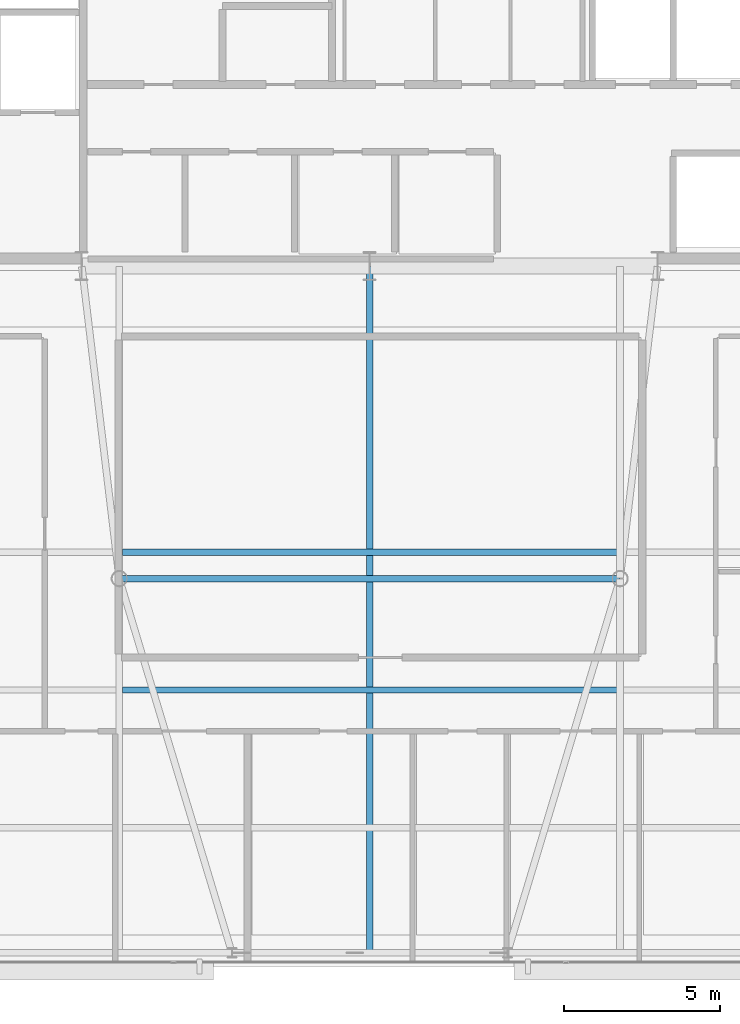
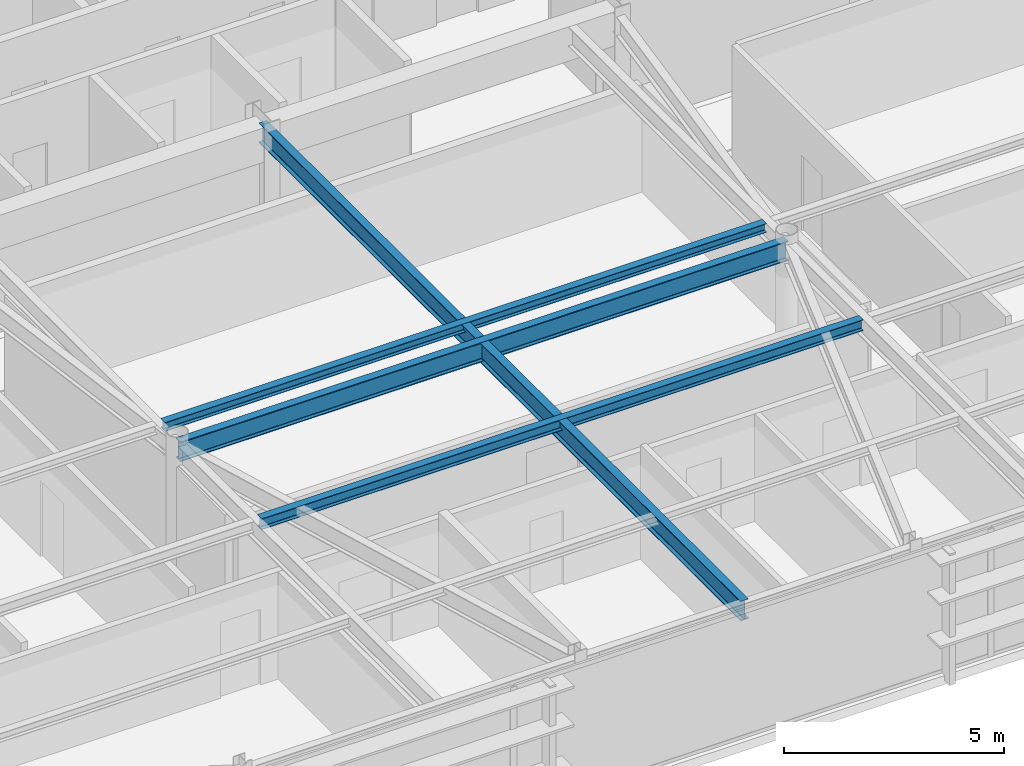
# One storey, part 9 of 24: 4 beams.
"""IFC4 building model written with IfcOpenShell, lengths in metres."""

from ifc_helpers import new_model, si_unit, direction, frame, origin, origin_2d, place, context, subcontext, project, spatial, i_section, extrude, source, transform, mapped, material, material_profile, profile_set, type_object, type_shapes, element, save


model = new_model("IFC4")

# Units and contexts
model_context = context("Model", 3, precision=1e-05, world=origin(), true_north=direction((0.0, 1.0)))
body_context = subcontext(model_context, "Body", "Model", "MODEL_VIEW")
ifc_project = project(units=[si_unit("LENGTHUNIT", "METRE"), si_unit("AREAUNIT", "SQUARE_METRE"), si_unit("VOLUMEUNIT", "CUBIC_METRE"), si_unit("PLANEANGLEUNIT", "RADIAN"), si_unit("MASSUNIT", "GRAM", prefix="KILO")], contexts=[model_context])

# Site, building, storey
site_placement = place(None, origin())
site = spatial("IfcSite", under=ifc_project, at=site_placement, CompositionType="ELEMENT")
building_placement = place(site_placement, origin())
building = spatial("IfcBuilding", under=site, at=building_placement, Name="Varnel Quay Broadcast Tower", CompositionType="ELEMENT")
storey_placement = place(building_placement, frame((0.0, 0.0, 292.60009765625)))
storey = spatial("IfcBuildingStorey", under=building, at=storey_placement, Name="L73", CompositionType="ELEMENT", Elevation=292.60009765625)

# Beams
ifc_material = material(Name="Structural Steel CSA G40.21 350W", Category="steel")
ifc_material_profile_1 = material_profile(ifc_material, i_section(OverallWidth=0.2119140625, OverallDepth=0.5439453125, WebThickness=0.01318359375, FlangeThickness=0.021240234375, FilletRadius=0.013916015625, at=origin_2d()), Name="W530X123")
ifc_profile_set_1 = profile_set([ifc_material_profile_1], Name="Structural Steel CSA G40.21 350W")
beam_type_1 = type_object("IfcBeamType", Name="Girder_W530X123", PredefinedType="BEAM", material=ifc_profile_set_1)
shared_shape_1 = source(origin(), body_context, "Body", "SweptSolid", [
    extrude(i_section(OverallWidth=0.2119140625, OverallDepth=0.5439453125, WebThickness=0.01318359375, FlangeThickness=0.021240234375, FilletRadius=0.013916015625, at=origin_2d()), origin(), (0.0, 0.0, 1.0), 15.9599609375),
])
beam_1_placement = place(storey_placement, frame((26.02001953125, 25.610107421875, 3.27783203125), z_axis=(1.0, 0.0, 0.0), x_axis=(0.0, 1.0, 0.0)))
element("IfcBeam", 1, at=beam_1_placement, inside=storey, type_object=beam_type_1, Name="L73 Interior Spine Girder", PredefinedType="BEAM", context=body_context, shape_type="MappedRepresentation", body=[
    mapped(shared_shape_1, transform((0.0, 0.0, 0.0), x_axis=(1.0, 0.0, 0.0), y_axis=(0.0, 1.0, 0.0), z_axis=(0.0, 0.0, 1.0), scale=1.0)),
])
shared_shape_2 = source(origin(), body_context, "Body", "SweptSolid", [
    extrude(i_section(OverallWidth=0.2119140625, OverallDepth=0.5439453125, WebThickness=0.01318359375, FlangeThickness=0.021240234375, FilletRadius=0.013916015625, at=origin_2d()), origin(), (0.0, 0.0, 1.0), 21.91015625),
])
type_shapes(beam_type_1, [shared_shape_1, shared_shape_2])
beam_2_placement = place(storey_placement, frame((34.0, 13.669921875, 3.27783203125), z_axis=(0.0, 1.0, 0.0), x_axis=(-1.0, 0.0, 0.0)))
element("IfcBeam", 2, at=beam_2_placement, inside=storey, type_object=beam_type_1, Name="L73 Central Bay Girder", PredefinedType="BEAM", context=body_context, shape_type="MappedRepresentation", body=[
    mapped(shared_shape_2, transform((0.0, 0.0, 0.0), x_axis=(1.0, 0.0, 0.0), y_axis=(0.0, 1.0, 0.0), z_axis=(0.0, 0.0, 1.0), scale=1.0)),
])
ifc_material_profile_2 = material_profile(ifc_material, i_section(OverallWidth=0.201904296875, OverallDepth=0.2470703125, WebThickness=0.00732421875, FlangeThickness=0.010986328125, FilletRadius=0.010986328125, at=origin_2d()), Name="W250X49")
ifc_profile_set_2 = profile_set([ifc_material_profile_2], Name="Structural Steel CSA G40.21 350W")
beam_type_2 = type_object("IfcBeamType", Name="Beam_W250X49", PredefinedType="JOIST", material=ifc_profile_set_2)
shared_shape_3 = source(origin(), body_context, "Body", "SweptSolid", [
    extrude(i_section(OverallWidth=0.201904296875, OverallDepth=0.2470703125, WebThickness=0.00732421875, FlangeThickness=0.010986328125, FilletRadius=0.010986328125, at=origin_2d()), origin(), (0.0, 0.0, 1.0), 15.7978515625),
])
type_shapes(beam_type_2, [shared_shape_3])
beam_3_placement = place(storey_placement, frame((26.10107421875, 26.449951171875, 3.426513671875), z_axis=(1.0, 0.0, 0.0), x_axis=(0.0, 1.0, 0.0)))
element("IfcBeam", 3, at=beam_3_placement, inside=storey, type_object=beam_type_2, Name="L73 Central Floor Joist 3", PredefinedType="JOIST", context=body_context, shape_type="MappedRepresentation", body=[
    mapped(shared_shape_3, transform((0.0, 0.0, 0.0), x_axis=(1.0, 0.0, 0.0), y_axis=(0.0, 1.0, 0.0), z_axis=(0.0, 0.0, 1.0), scale=1.0)),
])
ifc_material_profile_3 = material_profile(ifc_material, i_section(OverallWidth=0.202880859375, OverallDepth=0.302978515625, WebThickness=0.007568359375, FlangeThickness=0.01318359375, FilletRadius=0.011962890625, at=origin_2d()), Name="W310X60")
ifc_profile_set_3 = profile_set([ifc_material_profile_3], Name="Structural Steel CSA G40.21 350W")
beam_type_3 = type_object("IfcBeamType", Name="Beam_W310X60", PredefinedType="JOIST", material=ifc_profile_set_3)
shared_shape_4 = source(origin(), body_context, "Body", "SweptSolid", [
    extrude(i_section(OverallWidth=0.202880859375, OverallDepth=0.302978515625, WebThickness=0.007568359375, FlangeThickness=0.01318359375, FilletRadius=0.011962890625, at=origin_2d()), origin(), (0.0, 0.0, 1.0), 15.7978515625),
])
type_shapes(beam_type_3, [shared_shape_4])
beam_4_placement = place(storey_placement, frame((26.10107421875, 22.050048828125, 3.3984375), z_axis=(1.0, 0.0, 0.0), x_axis=(0.0, 1.0, 0.0)))
element("IfcBeam", 4, at=beam_4_placement, inside=storey, type_object=beam_type_3, Name="L73 Central Floor Joist 2", PredefinedType="JOIST", context=body_context, shape_type="MappedRepresentation", body=[
    mapped(shared_shape_4, transform((0.0, 0.0, 0.0), x_axis=(1.0, 0.0, 0.0), y_axis=(0.0, 1.0, 0.0), z_axis=(0.0, 0.0, 1.0), scale=1.0)),
])

save(model, "model.ifc")
